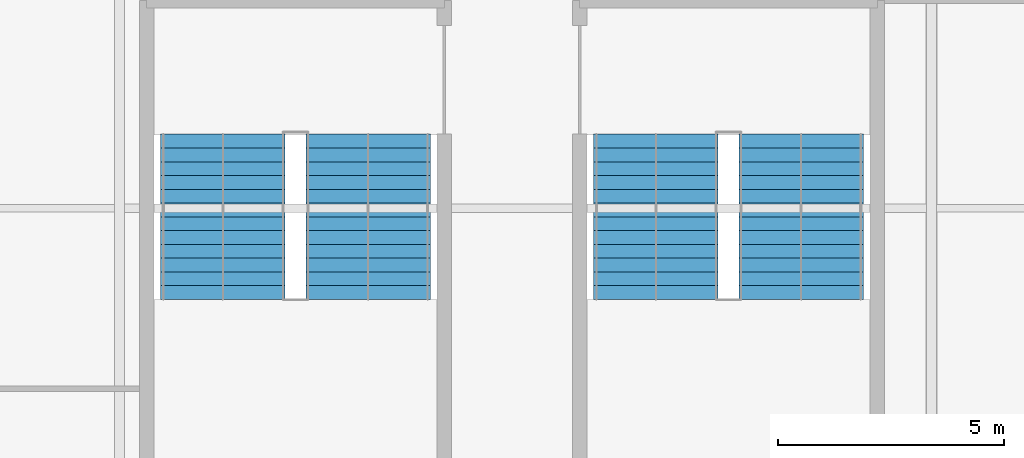
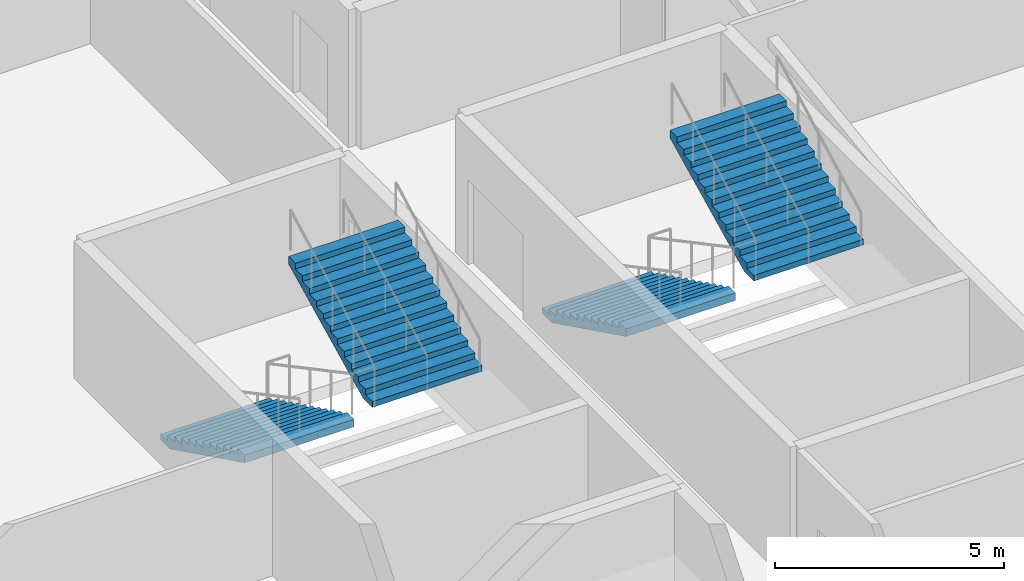
# One storey, part 22 of 27: 4 stair flights, 2 elements without a shape of their own.
"""IFC4 building model written with IfcOpenShell, lengths in metres."""

from ifc_helpers import new_model, si_unit, direction, frame, origin, place, context, subcontext, project, spatial, polygons, material, type_object, element, aggregate, save


model = new_model("IFC4")

# Units and contexts
model_context = context("Model", 3, precision=1e-05, world=origin(), true_north=direction((0.0, 1.0)))
body_context = subcontext(model_context, "Body", "Model", "MODEL_VIEW")
ifc_project = project(units=[si_unit("LENGTHUNIT", "METRE"), si_unit("AREAUNIT", "SQUARE_METRE"), si_unit("VOLUMEUNIT", "CUBIC_METRE"), si_unit("PLANEANGLEUNIT", "RADIAN"), si_unit("MASSUNIT", "GRAM", prefix="KILO")], contexts=[model_context])

# Site, building, storey
site_placement = place(None, origin())
site = spatial("IfcSite", under=ifc_project, at=site_placement, CompositionType="ELEMENT")
building_placement = place(site_placement, origin())
building = spatial("IfcBuilding", under=site, at=building_placement, Name="Kisiwana Market Hall", CompositionType="ELEMENT")
storey_placement = place(building_placement, frame((0.0, 0.0, 41.699951171875)))
storey = spatial("IfcBuildingStorey", under=building, at=storey_placement, Name="L09", CompositionType="ELEMENT", Elevation=41.699951171875)

# Stair, stair flights
ifc_material_1 = material(Name="Concrete C32/40", Category="concrete")
stair_type = type_object("IfcStairType", Name="ST-ESC-3900", PredefinedType="TWO_STRAIGHT_RUN_STAIR", material=ifc_material_1)
stair_1_placement = place(storey_placement, origin())
stair_1 = element("IfcStair", 1, at=stair_1_placement, inside=storey, type_object=stair_type, Name="Escape stair ST-E4-L09", PredefinedType="TWO_STRAIGHT_RUN_STAIR")
ifc_material_2 = material(Name="Concrete C32/40", Category="concrete")
stair_flight_type = type_object("IfcStairFlightType", Name="SF-ESC-3900", PredefinedType="STRAIGHT", material=ifc_material_2)
stair_flight_1_placement = place(storey_placement, frame((182.889892578125, 77.639892578125, 0.0), z_axis=(0.0, 0.0, 1.0), x_axis=(0.0, -1.0, 0.0)))
stair_flight_1 = element("IfcStairFlight", 2, at=stair_flight_1_placement, type_object=stair_flight_type, Name="ST-E4-L09 flight 1", NumberOfRisers=13, NumberOfTreads=12, PredefinedType="STRAIGHT", RiserHeight=0.15, TreadLength=0.305, context=body_context, shape_type="Tessellation", body=[
    polygons([(0.0, -1.380127, 0.0), (0.0, -0.690125, 0.0), (0.0, -0.000122, 0.0), (0.0, 0.68988, 0.0), (0.0, 1.379883, 0.0), (0.0, -1.380127, 0.149902), (0.0, -0.690125, 0.149902), (0.0, -0.000122, 0.149902), (0.0, 0.68988, 0.149902), (0.0, 1.379883, 0.149902), (0.304932, -1.380127, 0.149902), (0.304932, -0.690125, 0.149902), (0.304932, -0.000122, 0.149902), (0.304932, 0.68988, 0.149902), (0.304932, 1.379883, 0.149902), (0.304932, -1.380127, 0.300049), (0.304932, -0.690125, 0.300049), (0.304932, -0.000122, 0.300049), (0.304932, 0.68988, 0.300049), (0.304932, 1.379883, 0.300049), (0.610107, -1.380127, 0.300049), (0.610107, -0.690125, 0.300049), (0.610107, -0.000122, 0.300049), (0.610107, 0.68988, 0.300049), (0.610107, 1.379883, 0.300049), (0.610107, -1.380127, 0.449951), (0.610107, -0.690125, 0.449951), (0.610107, -0.000122, 0.449951), (0.610107, 0.68988, 0.449951), (0.610107, 1.379883, 0.449951), (0.915039, -1.380127, 0.449951), (0.915039, -0.690125, 0.449951), (0.915039, -0.000122, 0.449951), (0.915039, 0.68988, 0.449951), (0.915039, 1.379883, 0.449951), (0.915039, -1.380127, 0.600098), (0.915039, -0.690125, 0.600098), (0.915039, -0.000122, 0.600098), (0.915039, 0.68988, 0.600098), (0.915039, 1.379883, 0.600098), (1.219971, -1.380127, 0.600098), (1.219971, -0.690125, 0.600098), (1.219971, -0.000122, 0.600098), (1.219971, 0.68988, 0.600098), (1.219971, 1.379883, 0.600098), (1.219971, -1.380127, 0.75), (1.219971, -0.690125, 0.75), (1.219971, -0.000122, 0.75), (1.219971, 0.68988, 0.75), (1.219971, 1.379883, 0.75), (1.524902, -1.380127, 0.75), (1.524902, -0.690125, 0.75), (1.524902, -0.000122, 0.75), (1.524902, 0.68988, 0.75), (1.524902, 1.379883, 0.75), (1.524902, -1.380127, 0.899902), (1.524902, -0.690125, 0.899902), (1.524902, -0.000122, 0.899902), (1.524902, 0.68988, 0.899902), (1.524902, 1.379883, 0.899902), (1.830078, -1.380127, 0.899902), (1.830078, -0.690125, 0.899902), (1.830078, -0.000122, 0.899902), (1.830078, 0.68988, 0.899902), (1.830078, 1.379883, 0.899902), (1.830078, -1.380127, 1.050049), (1.830078, -0.690125, 1.050049), (1.830078, -0.000122, 1.050049), (1.830078, 0.68988, 1.050049), (1.830078, 1.379883, 1.050049), (2.13501, -1.380127, 1.050049), (2.13501, -0.690125, 1.050049), (2.13501, -0.000122, 1.050049), (2.13501, 0.68988, 1.050049), (2.13501, 1.379883, 1.050049), (2.13501, -1.380127, 1.199951), (2.13501, -0.690125, 1.199951), (2.13501, -0.000122, 1.199951), (2.13501, 0.68988, 1.199951), (2.13501, 1.379883, 1.199951), (2.439941, -1.380127, 1.199951), (2.439941, -0.690125, 1.199951), (2.439941, -0.000122, 1.199951), (2.439941, 0.68988, 1.199951), (2.439941, 1.379883, 1.199951), (2.439941, -1.380127, 1.350098), (2.439941, -0.690125, 1.350098), (2.439941, -0.000122, 1.350098), (2.439941, 0.68988, 1.350098), (2.439941, 1.379883, 1.350098), (2.745117, -1.380127, 1.350098), (2.745117, -0.690125, 1.350098), (2.745117, -0.000122, 1.350098), (2.745117, 0.68988, 1.350098), (2.745117, 1.379883, 1.350098), (2.745117, -1.380127, 1.5), (2.745117, -0.690125, 1.5), (2.745117, -0.000122, 1.5), (2.745117, 0.68988, 1.5), (2.745117, 1.379883, 1.5), (3.050049, -1.380127, 1.5), (3.050049, -0.690125, 1.5), (3.050049, -0.000122, 1.5), (3.050049, 0.68988, 1.5), (3.050049, 1.379883, 1.5), (3.050049, -1.380127, 1.649902), (3.050049, -0.690125, 1.649902), (3.050049, -0.000122, 1.649902), (3.050049, 0.68988, 1.649902), (3.050049, 1.379883, 1.649902), (3.35498, -1.380127, 1.649902), (3.35498, -0.690125, 1.649902), (3.35498, -0.000122, 1.649902), (3.35498, 0.68988, 1.649902), (3.35498, 1.379883, 1.649902), (3.35498, -1.380127, 1.800049), (3.35498, -0.690125, 1.800049), (3.35498, -0.000122, 1.800049), (3.35498, 0.68988, 1.800049), (3.35498, 1.379883, 1.800049), (3.659912, -1.380127, 1.800049), (3.659912, -0.690125, 1.800049), (3.659912, -0.000122, 1.800049), (3.659912, 0.68988, 1.800049), (3.659912, 1.379883, 1.800049), (3.659912, -1.380127, 1.599365), (3.659912, -0.690125, 1.599365), (3.659912, -0.000122, 1.599365), (3.659912, 0.68988, 1.599365), (3.659912, 1.379883, 1.599365), (0.407715, -1.380127, 0.0), (0.407715, -0.690125, 0.0), (0.407715, -0.000122, 0.0), (0.407715, 0.68988, 0.0), (0.407715, 1.379883, 0.0)], [[[1, 6, 7, 2]], [[2, 7, 8, 3]], [[3, 8, 9, 4]], [[4, 9, 10, 5]], [[6, 11, 12, 7]], [[7, 12, 13, 8]], [[8, 13, 14, 9]], [[9, 14, 15, 10]], [[11, 16, 17, 12]], [[12, 17, 18, 13]], [[13, 18, 19, 14]], [[14, 19, 20, 15]], [[16, 21, 22, 17]], [[17, 22, 23, 18]], [[18, 23, 24, 19]], [[19, 24, 25, 20]], [[21, 26, 27, 22]], [[22, 27, 28, 23]], [[23, 28, 29, 24]], [[24, 29, 30, 25]], [[26, 31, 32, 27]], [[27, 32, 33, 28]], [[28, 33, 34, 29]], [[29, 34, 35, 30]], [[31, 36, 37, 32]], [[32, 37, 38, 33]], [[33, 38, 39, 34]], [[34, 39, 40, 35]], [[36, 41, 42, 37]], [[37, 42, 43, 38]], [[38, 43, 44, 39]], [[39, 44, 45, 40]], [[41, 46, 47, 42]], [[42, 47, 48, 43]], [[43, 48, 49, 44]], [[44, 49, 50, 45]], [[46, 51, 52, 47]], [[47, 52, 53, 48]], [[48, 53, 54, 49]], [[49, 54, 55, 50]], [[51, 56, 57, 52]], [[52, 57, 58, 53]], [[53, 58, 59, 54]], [[54, 59, 60, 55]], [[56, 61, 62, 57]], [[57, 62, 63, 58]], [[58, 63, 64, 59]], [[59, 64, 65, 60]], [[61, 66, 67, 62]], [[62, 67, 68, 63]], [[63, 68, 69, 64]], [[64, 69, 70, 65]], [[66, 71, 72, 67]], [[67, 72, 73, 68]], [[68, 73, 74, 69]], [[69, 74, 75, 70]], [[71, 76, 77, 72]], [[72, 77, 78, 73]], [[73, 78, 79, 74]], [[74, 79, 80, 75]], [[76, 81, 82, 77]], [[77, 82, 83, 78]], [[78, 83, 84, 79]], [[79, 84, 85, 80]], [[81, 86, 87, 82]], [[82, 87, 88, 83]], [[83, 88, 89, 84]], [[84, 89, 90, 85]], [[86, 91, 92, 87]], [[87, 92, 93, 88]], [[88, 93, 94, 89]], [[89, 94, 95, 90]], [[91, 96, 97, 92]], [[92, 97, 98, 93]], [[93, 98, 99, 94]], [[94, 99, 100, 95]], [[96, 101, 102, 97]], [[97, 102, 103, 98]], [[98, 103, 104, 99]], [[99, 104, 105, 100]], [[101, 106, 107, 102]], [[102, 107, 108, 103]], [[103, 108, 109, 104]], [[104, 109, 110, 105]], [[106, 111, 112, 107]], [[107, 112, 113, 108]], [[108, 113, 114, 109]], [[109, 114, 115, 110]], [[111, 116, 117, 112]], [[112, 117, 118, 113]], [[113, 118, 119, 114]], [[114, 119, 120, 115]], [[116, 121, 122, 117]], [[117, 122, 123, 118]], [[118, 123, 124, 119]], [[119, 124, 125, 120]], [[121, 126, 127, 122]], [[122, 127, 128, 123]], [[123, 128, 129, 124]], [[124, 129, 130, 125]], [[126, 131, 132, 127]], [[127, 132, 133, 128]], [[128, 133, 134, 129]], [[129, 134, 135, 130]], [[131, 1, 2, 132]], [[132, 2, 3, 133]], [[133, 3, 4, 134]], [[134, 4, 5, 135]], [[131, 126, 121, 116, 111, 106, 101, 96, 91, 86, 81, 76, 71, 66, 61, 56, 51, 46, 41, 36, 31, 26, 21, 16, 11, 6, 1]], [[5, 10, 15, 20, 25, 30, 35, 40, 45, 50, 55, 60, 65, 70, 75, 80, 85, 90, 95, 100, 105, 110, 115, 120, 125, 130, 135]]], closed=True),
])
stair_flight_2_placement = place(storey_placement, frame((186.110107421875, 73.97998046875, 1.949951171875), z_axis=(0.0, 0.0, 1.0), x_axis=(0.0, 1.0, 0.0)))
stair_flight_2 = element("IfcStairFlight", 3, at=stair_flight_2_placement, type_object=stair_flight_type, Name="ST-E4-L09 flight 2", NumberOfRisers=13, NumberOfTreads=12, PredefinedType="STRAIGHT", RiserHeight=0.15, TreadLength=0.305, context=body_context, shape_type="Tessellation", body=[
    polygons([(0.0, -1.380127, 0.0), (0.0, -0.690125, 0.0), (0.0, -0.000122, 0.0), (0.0, 0.68988, 0.0), (0.0, 1.379883, 0.0), (0.0, -1.380127, 0.149902), (0.0, -0.690125, 0.149902), (0.0, -0.000122, 0.149902), (0.0, 0.68988, 0.149902), (0.0, 1.379883, 0.149902), (0.304932, -1.380127, 0.149902), (0.304932, -0.690125, 0.149902), (0.304932, -0.000122, 0.149902), (0.304932, 0.68988, 0.149902), (0.304932, 1.379883, 0.149902), (0.304932, -1.380127, 0.300049), (0.304932, -0.690125, 0.300049), (0.304932, -0.000122, 0.300049), (0.304932, 0.68988, 0.300049), (0.304932, 1.379883, 0.300049), (0.610107, -1.380127, 0.300049), (0.610107, -0.690125, 0.300049), (0.610107, -0.000122, 0.300049), (0.610107, 0.68988, 0.300049), (0.610107, 1.379883, 0.300049), (0.610107, -1.380127, 0.449951), (0.610107, -0.690125, 0.449951), (0.610107, -0.000122, 0.449951), (0.610107, 0.68988, 0.449951), (0.610107, 1.379883, 0.449951), (0.915039, -1.380127, 0.449951), (0.915039, -0.690125, 0.449951), (0.915039, -0.000122, 0.449951), (0.915039, 0.68988, 0.449951), (0.915039, 1.379883, 0.449951), (0.915039, -1.380127, 0.600098), (0.915039, -0.690125, 0.600098), (0.915039, -0.000122, 0.600098), (0.915039, 0.68988, 0.600098), (0.915039, 1.379883, 0.600098), (1.219971, -1.380127, 0.600098), (1.219971, -0.690125, 0.600098), (1.219971, -0.000122, 0.600098), (1.219971, 0.68988, 0.600098), (1.219971, 1.379883, 0.600098), (1.219971, -1.380127, 0.75), (1.219971, -0.690125, 0.75), (1.219971, -0.000122, 0.75), (1.219971, 0.68988, 0.75), (1.219971, 1.379883, 0.75), (1.524902, -1.380127, 0.75), (1.524902, -0.690125, 0.75), (1.524902, -0.000122, 0.75), (1.524902, 0.68988, 0.75), (1.524902, 1.379883, 0.75), (1.524902, -1.380127, 0.899902), (1.524902, -0.690125, 0.899902), (1.524902, -0.000122, 0.899902), (1.524902, 0.68988, 0.899902), (1.524902, 1.379883, 0.899902), (1.830078, -1.380127, 0.899902), (1.830078, -0.690125, 0.899902), (1.830078, -0.000122, 0.899902), (1.830078, 0.68988, 0.899902), (1.830078, 1.379883, 0.899902), (1.830078, -1.380127, 1.050049), (1.830078, -0.690125, 1.050049), (1.830078, -0.000122, 1.050049), (1.830078, 0.68988, 1.050049), (1.830078, 1.379883, 1.050049), (2.13501, -1.380127, 1.050049), (2.13501, -0.690125, 1.050049), (2.13501, -0.000122, 1.050049), (2.13501, 0.68988, 1.050049), (2.13501, 1.379883, 1.050049), (2.13501, -1.380127, 1.199951), (2.13501, -0.690125, 1.199951), (2.13501, -0.000122, 1.199951), (2.13501, 0.68988, 1.199951), (2.13501, 1.379883, 1.199951), (2.439941, -1.380127, 1.199951), (2.439941, -0.690125, 1.199951), (2.439941, -0.000122, 1.199951), (2.439941, 0.68988, 1.199951), (2.439941, 1.379883, 1.199951), (2.439941, -1.380127, 1.350098), (2.439941, -0.690125, 1.350098), (2.439941, -0.000122, 1.350098), (2.439941, 0.68988, 1.350098), (2.439941, 1.379883, 1.350098), (2.745117, -1.380127, 1.350098), (2.745117, -0.690125, 1.350098), (2.745117, -0.000122, 1.350098), (2.745117, 0.68988, 1.350098), (2.745117, 1.379883, 1.350098), (2.745117, -1.380127, 1.5), (2.745117, -0.690125, 1.5), (2.745117, -0.000122, 1.5), (2.745117, 0.68988, 1.5), (2.745117, 1.379883, 1.5), (3.050049, -1.380127, 1.5), (3.050049, -0.690125, 1.5), (3.050049, -0.000122, 1.5), (3.050049, 0.68988, 1.5), (3.050049, 1.379883, 1.5), (3.050049, -1.380127, 1.649902), (3.050049, -0.690125, 1.649902), (3.050049, -0.000122, 1.649902), (3.050049, 0.68988, 1.649902), (3.050049, 1.379883, 1.649902), (3.35498, -1.380127, 1.649902), (3.35498, -0.690125, 1.649902), (3.35498, -0.000122, 1.649902), (3.35498, 0.68988, 1.649902), (3.35498, 1.379883, 1.649902), (3.35498, -1.380127, 1.800049), (3.35498, -0.690125, 1.800049), (3.35498, -0.000122, 1.800049), (3.35498, 0.68988, 1.800049), (3.35498, 1.379883, 1.800049), (3.659912, -1.380127, 1.800049), (3.659912, -0.690125, 1.800049), (3.659912, -0.000122, 1.800049), (3.659912, 0.68988, 1.800049), (3.659912, 1.379883, 1.800049), (3.659912, -1.380127, 1.599365), (3.659912, -0.690125, 1.599365), (3.659912, -0.000122, 1.599365), (3.659912, 0.68988, 1.599365), (3.659912, 1.379883, 1.599365), (0.407715, -1.380127, 0.0), (0.407715, -0.690125, 0.0), (0.407715, -0.000122, 0.0), (0.407715, 0.68988, 0.0), (0.407715, 1.379883, 0.0)], [[[1, 6, 7, 2]], [[2, 7, 8, 3]], [[3, 8, 9, 4]], [[4, 9, 10, 5]], [[6, 11, 12, 7]], [[7, 12, 13, 8]], [[8, 13, 14, 9]], [[9, 14, 15, 10]], [[11, 16, 17, 12]], [[12, 17, 18, 13]], [[13, 18, 19, 14]], [[14, 19, 20, 15]], [[16, 21, 22, 17]], [[17, 22, 23, 18]], [[18, 23, 24, 19]], [[19, 24, 25, 20]], [[21, 26, 27, 22]], [[22, 27, 28, 23]], [[23, 28, 29, 24]], [[24, 29, 30, 25]], [[26, 31, 32, 27]], [[27, 32, 33, 28]], [[28, 33, 34, 29]], [[29, 34, 35, 30]], [[31, 36, 37, 32]], [[32, 37, 38, 33]], [[33, 38, 39, 34]], [[34, 39, 40, 35]], [[36, 41, 42, 37]], [[37, 42, 43, 38]], [[38, 43, 44, 39]], [[39, 44, 45, 40]], [[41, 46, 47, 42]], [[42, 47, 48, 43]], [[43, 48, 49, 44]], [[44, 49, 50, 45]], [[46, 51, 52, 47]], [[47, 52, 53, 48]], [[48, 53, 54, 49]], [[49, 54, 55, 50]], [[51, 56, 57, 52]], [[52, 57, 58, 53]], [[53, 58, 59, 54]], [[54, 59, 60, 55]], [[56, 61, 62, 57]], [[57, 62, 63, 58]], [[58, 63, 64, 59]], [[59, 64, 65, 60]], [[61, 66, 67, 62]], [[62, 67, 68, 63]], [[63, 68, 69, 64]], [[64, 69, 70, 65]], [[66, 71, 72, 67]], [[67, 72, 73, 68]], [[68, 73, 74, 69]], [[69, 74, 75, 70]], [[71, 76, 77, 72]], [[72, 77, 78, 73]], [[73, 78, 79, 74]], [[74, 79, 80, 75]], [[76, 81, 82, 77]], [[77, 82, 83, 78]], [[78, 83, 84, 79]], [[79, 84, 85, 80]], [[81, 86, 87, 82]], [[82, 87, 88, 83]], [[83, 88, 89, 84]], [[84, 89, 90, 85]], [[86, 91, 92, 87]], [[87, 92, 93, 88]], [[88, 93, 94, 89]], [[89, 94, 95, 90]], [[91, 96, 97, 92]], [[92, 97, 98, 93]], [[93, 98, 99, 94]], [[94, 99, 100, 95]], [[96, 101, 102, 97]], [[97, 102, 103, 98]], [[98, 103, 104, 99]], [[99, 104, 105, 100]], [[101, 106, 107, 102]], [[102, 107, 108, 103]], [[103, 108, 109, 104]], [[104, 109, 110, 105]], [[106, 111, 112, 107]], [[107, 112, 113, 108]], [[108, 113, 114, 109]], [[109, 114, 115, 110]], [[111, 116, 117, 112]], [[112, 117, 118, 113]], [[113, 118, 119, 114]], [[114, 119, 120, 115]], [[116, 121, 122, 117]], [[117, 122, 123, 118]], [[118, 123, 124, 119]], [[119, 124, 125, 120]], [[121, 126, 127, 122]], [[122, 127, 128, 123]], [[123, 128, 129, 124]], [[124, 129, 130, 125]], [[126, 131, 132, 127]], [[127, 132, 133, 128]], [[128, 133, 134, 129]], [[129, 134, 135, 130]], [[131, 1, 2, 132]], [[132, 2, 3, 133]], [[133, 3, 4, 134]], [[134, 4, 5, 135]], [[131, 126, 121, 116, 111, 106, 101, 96, 91, 86, 81, 76, 71, 66, 61, 56, 51, 46, 41, 36, 31, 26, 21, 16, 11, 6, 1]], [[5, 10, 15, 20, 25, 30, 35, 40, 45, 50, 55, 60, 65, 70, 75, 80, 85, 90, 95, 100, 105, 110, 115, 120, 125, 130, 135]]], closed=True),
])
aggregate(stair_1, [stair_flight_1, stair_flight_2])

stair_2_placement = place(storey_placement, origin())
stair_2 = element("IfcStair", 4, at=stair_2_placement, inside=storey, type_object=stair_type, Name="Escape stair ST-E8-L09", PredefinedType="TWO_STRAIGHT_RUN_STAIR")
stair_flight_3_placement = place(storey_placement, frame((173.2900390625, 77.639892578125, 0.0), z_axis=(0.0, 0.0, 1.0), x_axis=(0.0, -1.0, 0.0)))
stair_flight_3 = element("IfcStairFlight", 5, at=stair_flight_3_placement, type_object=stair_flight_type, Name="ST-E8-L09 flight 1", NumberOfRisers=13, NumberOfTreads=12, PredefinedType="STRAIGHT", RiserHeight=0.15, TreadLength=0.305, context=body_context, shape_type="Tessellation", body=[
    polygons([(0.0, -1.380127, 0.0), (0.0, -0.690125, 0.0), (0.0, -0.000122, 0.0), (0.0, 0.68988, 0.0), (0.0, 1.379883, 0.0), (0.0, -1.380127, 0.149902), (0.0, -0.690125, 0.149902), (0.0, -0.000122, 0.149902), (0.0, 0.68988, 0.149902), (0.0, 1.379883, 0.149902), (0.304932, -1.380127, 0.149902), (0.304932, -0.690125, 0.149902), (0.304932, -0.000122, 0.149902), (0.304932, 0.68988, 0.149902), (0.304932, 1.379883, 0.149902), (0.304932, -1.380127, 0.300049), (0.304932, -0.690125, 0.300049), (0.304932, -0.000122, 0.300049), (0.304932, 0.68988, 0.300049), (0.304932, 1.379883, 0.300049), (0.610107, -1.380127, 0.300049), (0.610107, -0.690125, 0.300049), (0.610107, -0.000122, 0.300049), (0.610107, 0.68988, 0.300049), (0.610107, 1.379883, 0.300049), (0.610107, -1.380127, 0.449951), (0.610107, -0.690125, 0.449951), (0.610107, -0.000122, 0.449951), (0.610107, 0.68988, 0.449951), (0.610107, 1.379883, 0.449951), (0.915039, -1.380127, 0.449951), (0.915039, -0.690125, 0.449951), (0.915039, -0.000122, 0.449951), (0.915039, 0.68988, 0.449951), (0.915039, 1.379883, 0.449951), (0.915039, -1.380127, 0.600098), (0.915039, -0.690125, 0.600098), (0.915039, -0.000122, 0.600098), (0.915039, 0.68988, 0.600098), (0.915039, 1.379883, 0.600098), (1.219971, -1.380127, 0.600098), (1.219971, -0.690125, 0.600098), (1.219971, -0.000122, 0.600098), (1.219971, 0.68988, 0.600098), (1.219971, 1.379883, 0.600098), (1.219971, -1.380127, 0.75), (1.219971, -0.690125, 0.75), (1.219971, -0.000122, 0.75), (1.219971, 0.68988, 0.75), (1.219971, 1.379883, 0.75), (1.524902, -1.380127, 0.75), (1.524902, -0.690125, 0.75), (1.524902, -0.000122, 0.75), (1.524902, 0.68988, 0.75), (1.524902, 1.379883, 0.75), (1.524902, -1.380127, 0.899902), (1.524902, -0.690125, 0.899902), (1.524902, -0.000122, 0.899902), (1.524902, 0.68988, 0.899902), (1.524902, 1.379883, 0.899902), (1.830078, -1.380127, 0.899902), (1.830078, -0.690125, 0.899902), (1.830078, -0.000122, 0.899902), (1.830078, 0.68988, 0.899902), (1.830078, 1.379883, 0.899902), (1.830078, -1.380127, 1.050049), (1.830078, -0.690125, 1.050049), (1.830078, -0.000122, 1.050049), (1.830078, 0.68988, 1.050049), (1.830078, 1.379883, 1.050049), (2.13501, -1.380127, 1.050049), (2.13501, -0.690125, 1.050049), (2.13501, -0.000122, 1.050049), (2.13501, 0.68988, 1.050049), (2.13501, 1.379883, 1.050049), (2.13501, -1.380127, 1.199951), (2.13501, -0.690125, 1.199951), (2.13501, -0.000122, 1.199951), (2.13501, 0.68988, 1.199951), (2.13501, 1.379883, 1.199951), (2.439941, -1.380127, 1.199951), (2.439941, -0.690125, 1.199951), (2.439941, -0.000122, 1.199951), (2.439941, 0.68988, 1.199951), (2.439941, 1.379883, 1.199951), (2.439941, -1.380127, 1.350098), (2.439941, -0.690125, 1.350098), (2.439941, -0.000122, 1.350098), (2.439941, 0.68988, 1.350098), (2.439941, 1.379883, 1.350098), (2.745117, -1.380127, 1.350098), (2.745117, -0.690125, 1.350098), (2.745117, -0.000122, 1.350098), (2.745117, 0.68988, 1.350098), (2.745117, 1.379883, 1.350098), (2.745117, -1.380127, 1.5), (2.745117, -0.690125, 1.5), (2.745117, -0.000122, 1.5), (2.745117, 0.68988, 1.5), (2.745117, 1.379883, 1.5), (3.050049, -1.380127, 1.5), (3.050049, -0.690125, 1.5), (3.050049, -0.000122, 1.5), (3.050049, 0.68988, 1.5), (3.050049, 1.379883, 1.5), (3.050049, -1.380127, 1.649902), (3.050049, -0.690125, 1.649902), (3.050049, -0.000122, 1.649902), (3.050049, 0.68988, 1.649902), (3.050049, 1.379883, 1.649902), (3.35498, -1.380127, 1.649902), (3.35498, -0.690125, 1.649902), (3.35498, -0.000122, 1.649902), (3.35498, 0.68988, 1.649902), (3.35498, 1.379883, 1.649902), (3.35498, -1.380127, 1.800049), (3.35498, -0.690125, 1.800049), (3.35498, -0.000122, 1.800049), (3.35498, 0.68988, 1.800049), (3.35498, 1.379883, 1.800049), (3.659912, -1.380127, 1.800049), (3.659912, -0.690125, 1.800049), (3.659912, -0.000122, 1.800049), (3.659912, 0.68988, 1.800049), (3.659912, 1.379883, 1.800049), (3.659912, -1.380127, 1.599365), (3.659912, -0.690125, 1.599365), (3.659912, -0.000122, 1.599365), (3.659912, 0.68988, 1.599365), (3.659912, 1.379883, 1.599365), (0.407715, -1.380127, 0.0), (0.407715, -0.690125, 0.0), (0.407715, -0.000122, 0.0), (0.407715, 0.68988, 0.0), (0.407715, 1.379883, 0.0)], [[[1, 6, 7, 2]], [[2, 7, 8, 3]], [[3, 8, 9, 4]], [[4, 9, 10, 5]], [[6, 11, 12, 7]], [[7, 12, 13, 8]], [[8, 13, 14, 9]], [[9, 14, 15, 10]], [[11, 16, 17, 12]], [[12, 17, 18, 13]], [[13, 18, 19, 14]], [[14, 19, 20, 15]], [[16, 21, 22, 17]], [[17, 22, 23, 18]], [[18, 23, 24, 19]], [[19, 24, 25, 20]], [[21, 26, 27, 22]], [[22, 27, 28, 23]], [[23, 28, 29, 24]], [[24, 29, 30, 25]], [[26, 31, 32, 27]], [[27, 32, 33, 28]], [[28, 33, 34, 29]], [[29, 34, 35, 30]], [[31, 36, 37, 32]], [[32, 37, 38, 33]], [[33, 38, 39, 34]], [[34, 39, 40, 35]], [[36, 41, 42, 37]], [[37, 42, 43, 38]], [[38, 43, 44, 39]], [[39, 44, 45, 40]], [[41, 46, 47, 42]], [[42, 47, 48, 43]], [[43, 48, 49, 44]], [[44, 49, 50, 45]], [[46, 51, 52, 47]], [[47, 52, 53, 48]], [[48, 53, 54, 49]], [[49, 54, 55, 50]], [[51, 56, 57, 52]], [[52, 57, 58, 53]], [[53, 58, 59, 54]], [[54, 59, 60, 55]], [[56, 61, 62, 57]], [[57, 62, 63, 58]], [[58, 63, 64, 59]], [[59, 64, 65, 60]], [[61, 66, 67, 62]], [[62, 67, 68, 63]], [[63, 68, 69, 64]], [[64, 69, 70, 65]], [[66, 71, 72, 67]], [[67, 72, 73, 68]], [[68, 73, 74, 69]], [[69, 74, 75, 70]], [[71, 76, 77, 72]], [[72, 77, 78, 73]], [[73, 78, 79, 74]], [[74, 79, 80, 75]], [[76, 81, 82, 77]], [[77, 82, 83, 78]], [[78, 83, 84, 79]], [[79, 84, 85, 80]], [[81, 86, 87, 82]], [[82, 87, 88, 83]], [[83, 88, 89, 84]], [[84, 89, 90, 85]], [[86, 91, 92, 87]], [[87, 92, 93, 88]], [[88, 93, 94, 89]], [[89, 94, 95, 90]], [[91, 96, 97, 92]], [[92, 97, 98, 93]], [[93, 98, 99, 94]], [[94, 99, 100, 95]], [[96, 101, 102, 97]], [[97, 102, 103, 98]], [[98, 103, 104, 99]], [[99, 104, 105, 100]], [[101, 106, 107, 102]], [[102, 107, 108, 103]], [[103, 108, 109, 104]], [[104, 109, 110, 105]], [[106, 111, 112, 107]], [[107, 112, 113, 108]], [[108, 113, 114, 109]], [[109, 114, 115, 110]], [[111, 116, 117, 112]], [[112, 117, 118, 113]], [[113, 118, 119, 114]], [[114, 119, 120, 115]], [[116, 121, 122, 117]], [[117, 122, 123, 118]], [[118, 123, 124, 119]], [[119, 124, 125, 120]], [[121, 126, 127, 122]], [[122, 127, 128, 123]], [[123, 128, 129, 124]], [[124, 129, 130, 125]], [[126, 131, 132, 127]], [[127, 132, 133, 128]], [[128, 133, 134, 129]], [[129, 134, 135, 130]], [[131, 1, 2, 132]], [[132, 2, 3, 133]], [[133, 3, 4, 134]], [[134, 4, 5, 135]], [[131, 126, 121, 116, 111, 106, 101, 96, 91, 86, 81, 76, 71, 66, 61, 56, 51, 46, 41, 36, 31, 26, 21, 16, 11, 6, 1]], [[5, 10, 15, 20, 25, 30, 35, 40, 45, 50, 55, 60, 65, 70, 75, 80, 85, 90, 95, 100, 105, 110, 115, 120, 125, 130, 135]]], closed=True),
])
stair_flight_4_placement = place(storey_placement, frame((176.510009765625, 73.97998046875, 1.949951171875), z_axis=(0.0, 0.0, 1.0), x_axis=(0.0, 1.0, 0.0)))
stair_flight_4 = element("IfcStairFlight", 6, at=stair_flight_4_placement, type_object=stair_flight_type, Name="ST-E8-L09 flight 2", NumberOfRisers=13, NumberOfTreads=12, PredefinedType="STRAIGHT", RiserHeight=0.15, TreadLength=0.305, context=body_context, shape_type="Tessellation", body=[
    polygons([(0.0, -1.380127, 0.0), (0.0, -0.690125, 0.0), (0.0, -0.000122, 0.0), (0.0, 0.68988, 0.0), (0.0, 1.379883, 0.0), (0.0, -1.380127, 0.149902), (0.0, -0.690125, 0.149902), (0.0, -0.000122, 0.149902), (0.0, 0.68988, 0.149902), (0.0, 1.379883, 0.149902), (0.304932, -1.380127, 0.149902), (0.304932, -0.690125, 0.149902), (0.304932, -0.000122, 0.149902), (0.304932, 0.68988, 0.149902), (0.304932, 1.379883, 0.149902), (0.304932, -1.380127, 0.300049), (0.304932, -0.690125, 0.300049), (0.304932, -0.000122, 0.300049), (0.304932, 0.68988, 0.300049), (0.304932, 1.379883, 0.300049), (0.610107, -1.380127, 0.300049), (0.610107, -0.690125, 0.300049), (0.610107, -0.000122, 0.300049), (0.610107, 0.68988, 0.300049), (0.610107, 1.379883, 0.300049), (0.610107, -1.380127, 0.449951), (0.610107, -0.690125, 0.449951), (0.610107, -0.000122, 0.449951), (0.610107, 0.68988, 0.449951), (0.610107, 1.379883, 0.449951), (0.915039, -1.380127, 0.449951), (0.915039, -0.690125, 0.449951), (0.915039, -0.000122, 0.449951), (0.915039, 0.68988, 0.449951), (0.915039, 1.379883, 0.449951), (0.915039, -1.380127, 0.600098), (0.915039, -0.690125, 0.600098), (0.915039, -0.000122, 0.600098), (0.915039, 0.68988, 0.600098), (0.915039, 1.379883, 0.600098), (1.219971, -1.380127, 0.600098), (1.219971, -0.690125, 0.600098), (1.219971, -0.000122, 0.600098), (1.219971, 0.68988, 0.600098), (1.219971, 1.379883, 0.600098), (1.219971, -1.380127, 0.75), (1.219971, -0.690125, 0.75), (1.219971, -0.000122, 0.75), (1.219971, 0.68988, 0.75), (1.219971, 1.379883, 0.75), (1.524902, -1.380127, 0.75), (1.524902, -0.690125, 0.75), (1.524902, -0.000122, 0.75), (1.524902, 0.68988, 0.75), (1.524902, 1.379883, 0.75), (1.524902, -1.380127, 0.899902), (1.524902, -0.690125, 0.899902), (1.524902, -0.000122, 0.899902), (1.524902, 0.68988, 0.899902), (1.524902, 1.379883, 0.899902), (1.830078, -1.380127, 0.899902), (1.830078, -0.690125, 0.899902), (1.830078, -0.000122, 0.899902), (1.830078, 0.68988, 0.899902), (1.830078, 1.379883, 0.899902), (1.830078, -1.380127, 1.050049), (1.830078, -0.690125, 1.050049), (1.830078, -0.000122, 1.050049), (1.830078, 0.68988, 1.050049), (1.830078, 1.379883, 1.050049), (2.13501, -1.380127, 1.050049), (2.13501, -0.690125, 1.050049), (2.13501, -0.000122, 1.050049), (2.13501, 0.68988, 1.050049), (2.13501, 1.379883, 1.050049), (2.13501, -1.380127, 1.199951), (2.13501, -0.690125, 1.199951), (2.13501, -0.000122, 1.199951), (2.13501, 0.68988, 1.199951), (2.13501, 1.379883, 1.199951), (2.439941, -1.380127, 1.199951), (2.439941, -0.690125, 1.199951), (2.439941, -0.000122, 1.199951), (2.439941, 0.68988, 1.199951), (2.439941, 1.379883, 1.199951), (2.439941, -1.380127, 1.350098), (2.439941, -0.690125, 1.350098), (2.439941, -0.000122, 1.350098), (2.439941, 0.68988, 1.350098), (2.439941, 1.379883, 1.350098), (2.745117, -1.380127, 1.350098), (2.745117, -0.690125, 1.350098), (2.745117, -0.000122, 1.350098), (2.745117, 0.68988, 1.350098), (2.745117, 1.379883, 1.350098), (2.745117, -1.380127, 1.5), (2.745117, -0.690125, 1.5), (2.745117, -0.000122, 1.5), (2.745117, 0.68988, 1.5), (2.745117, 1.379883, 1.5), (3.050049, -1.380127, 1.5), (3.050049, -0.690125, 1.5), (3.050049, -0.000122, 1.5), (3.050049, 0.68988, 1.5), (3.050049, 1.379883, 1.5), (3.050049, -1.380127, 1.649902), (3.050049, -0.690125, 1.649902), (3.050049, -0.000122, 1.649902), (3.050049, 0.68988, 1.649902), (3.050049, 1.379883, 1.649902), (3.35498, -1.380127, 1.649902), (3.35498, -0.690125, 1.649902), (3.35498, -0.000122, 1.649902), (3.35498, 0.68988, 1.649902), (3.35498, 1.379883, 1.649902), (3.35498, -1.380127, 1.800049), (3.35498, -0.690125, 1.800049), (3.35498, -0.000122, 1.800049), (3.35498, 0.68988, 1.800049), (3.35498, 1.379883, 1.800049), (3.659912, -1.380127, 1.800049), (3.659912, -0.690125, 1.800049), (3.659912, -0.000122, 1.800049), (3.659912, 0.68988, 1.800049), (3.659912, 1.379883, 1.800049), (3.659912, -1.380127, 1.599365), (3.659912, -0.690125, 1.599365), (3.659912, -0.000122, 1.599365), (3.659912, 0.68988, 1.599365), (3.659912, 1.379883, 1.599365), (0.407715, -1.380127, 0.0), (0.407715, -0.690125, 0.0), (0.407715, -0.000122, 0.0), (0.407715, 0.68988, 0.0), (0.407715, 1.379883, 0.0)], [[[1, 6, 7, 2]], [[2, 7, 8, 3]], [[3, 8, 9, 4]], [[4, 9, 10, 5]], [[6, 11, 12, 7]], [[7, 12, 13, 8]], [[8, 13, 14, 9]], [[9, 14, 15, 10]], [[11, 16, 17, 12]], [[12, 17, 18, 13]], [[13, 18, 19, 14]], [[14, 19, 20, 15]], [[16, 21, 22, 17]], [[17, 22, 23, 18]], [[18, 23, 24, 19]], [[19, 24, 25, 20]], [[21, 26, 27, 22]], [[22, 27, 28, 23]], [[23, 28, 29, 24]], [[24, 29, 30, 25]], [[26, 31, 32, 27]], [[27, 32, 33, 28]], [[28, 33, 34, 29]], [[29, 34, 35, 30]], [[31, 36, 37, 32]], [[32, 37, 38, 33]], [[33, 38, 39, 34]], [[34, 39, 40, 35]], [[36, 41, 42, 37]], [[37, 42, 43, 38]], [[38, 43, 44, 39]], [[39, 44, 45, 40]], [[41, 46, 47, 42]], [[42, 47, 48, 43]], [[43, 48, 49, 44]], [[44, 49, 50, 45]], [[46, 51, 52, 47]], [[47, 52, 53, 48]], [[48, 53, 54, 49]], [[49, 54, 55, 50]], [[51, 56, 57, 52]], [[52, 57, 58, 53]], [[53, 58, 59, 54]], [[54, 59, 60, 55]], [[56, 61, 62, 57]], [[57, 62, 63, 58]], [[58, 63, 64, 59]], [[59, 64, 65, 60]], [[61, 66, 67, 62]], [[62, 67, 68, 63]], [[63, 68, 69, 64]], [[64, 69, 70, 65]], [[66, 71, 72, 67]], [[67, 72, 73, 68]], [[68, 73, 74, 69]], [[69, 74, 75, 70]], [[71, 76, 77, 72]], [[72, 77, 78, 73]], [[73, 78, 79, 74]], [[74, 79, 80, 75]], [[76, 81, 82, 77]], [[77, 82, 83, 78]], [[78, 83, 84, 79]], [[79, 84, 85, 80]], [[81, 86, 87, 82]], [[82, 87, 88, 83]], [[83, 88, 89, 84]], [[84, 89, 90, 85]], [[86, 91, 92, 87]], [[87, 92, 93, 88]], [[88, 93, 94, 89]], [[89, 94, 95, 90]], [[91, 96, 97, 92]], [[92, 97, 98, 93]], [[93, 98, 99, 94]], [[94, 99, 100, 95]], [[96, 101, 102, 97]], [[97, 102, 103, 98]], [[98, 103, 104, 99]], [[99, 104, 105, 100]], [[101, 106, 107, 102]], [[102, 107, 108, 103]], [[103, 108, 109, 104]], [[104, 109, 110, 105]], [[106, 111, 112, 107]], [[107, 112, 113, 108]], [[108, 113, 114, 109]], [[109, 114, 115, 110]], [[111, 116, 117, 112]], [[112, 117, 118, 113]], [[113, 118, 119, 114]], [[114, 119, 120, 115]], [[116, 121, 122, 117]], [[117, 122, 123, 118]], [[118, 123, 124, 119]], [[119, 124, 125, 120]], [[121, 126, 127, 122]], [[122, 127, 128, 123]], [[123, 128, 129, 124]], [[124, 129, 130, 125]], [[126, 131, 132, 127]], [[127, 132, 133, 128]], [[128, 133, 134, 129]], [[129, 134, 135, 130]], [[131, 1, 2, 132]], [[132, 2, 3, 133]], [[133, 3, 4, 134]], [[134, 4, 5, 135]], [[131, 126, 121, 116, 111, 106, 101, 96, 91, 86, 81, 76, 71, 66, 61, 56, 51, 46, 41, 36, 31, 26, 21, 16, 11, 6, 1]], [[5, 10, 15, 20, 25, 30, 35, 40, 45, 50, 55, 60, 65, 70, 75, 80, 85, 90, 95, 100, 105, 110, 115, 120, 125, 130, 135]]], closed=True),
])
aggregate(stair_2, [stair_flight_3, stair_flight_4])

save(model, "model.ifc")
